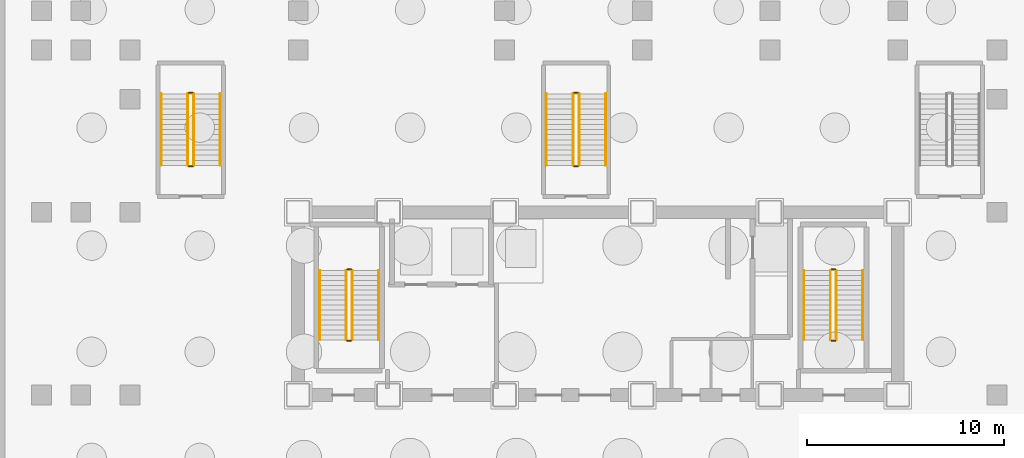
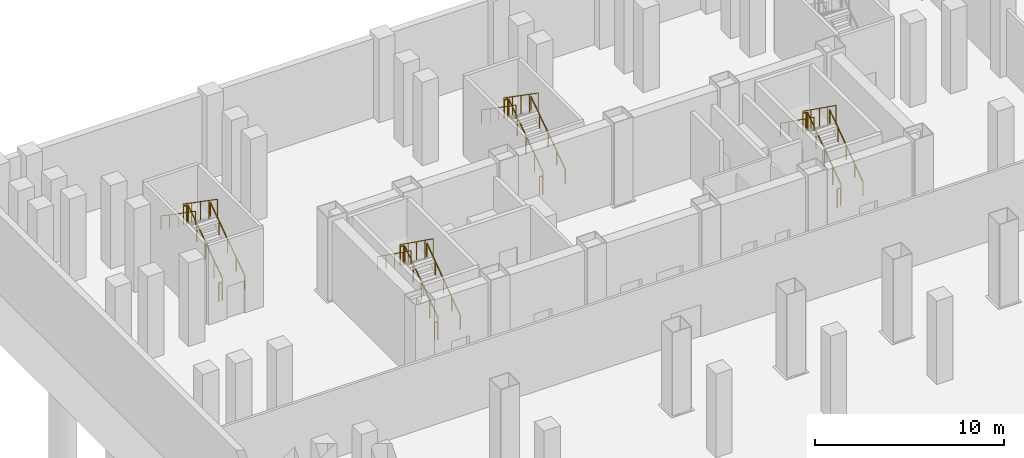
# One storey, part 6 of 8: 24 railings.
"""IFC4 building model written with IfcOpenShell, lengths in metres."""

from ifc_helpers import new_model, si_unit, direction, frame, origin, origin_2d, place, context, subcontext, project, spatial, circle, extrude, material, layer, layer_set, type_object, element, save


model = new_model("IFC4")

# Units and contexts
model_context = context("Model", 3, precision=1e-05, world=origin(), true_north=direction((0.0, 1.0)))
body_context = subcontext(model_context, "Body", "Model", "MODEL_VIEW")
ifc_project = project(units=[si_unit("LENGTHUNIT", "METRE"), si_unit("AREAUNIT", "SQUARE_METRE"), si_unit("VOLUMEUNIT", "CUBIC_METRE"), si_unit("PLANEANGLEUNIT", "RADIAN"), si_unit("MASSUNIT", "GRAM", prefix="KILO")], contexts=[model_context])

# Site, building, storey
site_placement = place(None, origin())
site = spatial("IfcSite", under=ifc_project, at=site_placement, CompositionType="ELEMENT")
building_placement = place(site_placement, origin())
building = spatial("IfcBuilding", under=site, at=building_placement, Name="Noeulbin Bourse Tower", CompositionType="ELEMENT")
storey_placement = place(building_placement, frame((0.0, 0.0, -15.60009765625)))
storey = spatial("IfcBuildingStorey", under=building, at=storey_placement, Name="B03", CompositionType="ELEMENT", Elevation=-15.60009765625)

# Railings
ifc_material_1 = material(Name="Painted Tubular Steel S355", Category="steel")
ifc_layer_1 = layer(ifc_material_1, 0.048095703125)
ifc_layer_set_1 = layer_set([ifc_layer_1], Name="Painted Tubular Steel S355")
railing_type_1 = type_object("IfcRailingType", Name="RLG-STR-GRD", PredefinedType="GUARDRAIL", material=ifc_layer_set_1)
railing_1_placement = place(storey_placement, frame((16.25, 31.81005859375, 0.18017578125)))
element("IfcRailing", 1, at=railing_1_placement, inside=storey, type_object=railing_type_1, Name="B03 ST-1 stair guard 1", PredefinedType="GUARDRAIL", context=body_context, shape_type="SweptSolid", body=[
    extrude(circle(Radius=0.02392578125, at=origin_2d()), frame((0.0, 0.0, 1.17578125), z_axis=(0.0, 0.813718251284, 0.581259501021), x_axis=(-1.0, 0.0, 0.0)), (0.0, 0.0, 1.0), 4.33544921875),
    extrude(circle(Radius=0.02099609375, at=origin_2d()), origin(), (0.0, 0.0, 1.0), 1.15185546875),
    extrude(circle(Radius=0.02099609375, at=origin_2d()), frame((0.0, 0.8818359375, 0.6298828125)), (0.0, 0.0, 1.0), 1.15185546875),
    extrude(circle(Radius=0.02099609375, at=origin_2d()), frame((0.0, 1.763916015625, 1.260009765625)), (0.0, 0.0, 1.0), 1.15185546875),
    extrude(circle(Radius=0.02099609375, at=origin_2d()), frame((0.0, 2.64599609375, 1.89013671875)), (0.0, 0.0, 1.0), 1.15185546875),
    extrude(circle(Radius=0.02099609375, at=origin_2d()), frame((0.0, 3.52783203125, 2.52001953125)), (0.0, 0.0, 1.0), 1.15185546875),
])
railing_2_placement = place(storey_placement, frame((16.199951171875, 35.387939453125, 2.7001953125)))
element("IfcRailing", 2, at=railing_2_placement, inside=storey, type_object=railing_type_1, Name="B03 ST-1 stair guard 2", PredefinedType="GUARDRAIL", context=body_context, shape_type="SweptSolid", body=[
    extrude(circle(Radius=0.02392578125, at=origin_2d()), frame((0.0, 0.0, 1.17578125), z_axis=(-1.0, 0.0, 0.0), x_axis=(0.0, -1.0, 0.0)), (0.0, 0.0, 1.0), 0.199951171875),
    extrude(circle(Radius=0.02099609375, at=origin_2d()), origin(), (0.0, 0.0, 1.0), 1.15185546875),
    extrude(circle(Radius=0.02099609375, at=origin_2d()), frame((-0.199951171875, 0.0, 0.0)), (0.0, 0.0, 1.0), 1.15185546875),
])
railing_3_placement = place(storey_placement, frame((15.949951171875, 35.337890625, 2.880126953125)))
element("IfcRailing", 3, at=railing_3_placement, inside=storey, type_object=railing_type_1, Name="B03 ST-1 stair guard 3", PredefinedType="GUARDRAIL", context=body_context, shape_type="SweptSolid", body=[
    extrude(circle(Radius=0.02392578125, at=origin_2d()), frame((0.0, 0.0, 1.17578125), z_axis=(0.0, -0.813718251284, 0.581259501021), x_axis=(1.0, 0.0, 0.0)), (0.0, 0.0, 1.0), 4.33544921875),
    extrude(circle(Radius=0.02099609375, at=origin_2d()), origin(), (0.0, 0.0, 1.0), 1.15185546875),
    extrude(circle(Radius=0.02099609375, at=origin_2d()), frame((0.0, -0.8818359375, 0.6298828125)), (0.0, 0.0, 1.0), 1.15185546875),
    extrude(circle(Radius=0.02099609375, at=origin_2d()), frame((0.0, -1.763916015625, 1.260009765625)), (0.0, 0.0, 1.0), 1.15185546875),
    extrude(circle(Radius=0.02099609375, at=origin_2d()), frame((0.0, -2.64599609375, 1.89013671875)), (0.0, 0.0, 1.0), 1.15185546875),
    extrude(circle(Radius=0.02099609375, at=origin_2d()), frame((0.0, -3.52783203125, 2.52001953125)), (0.0, 0.0, 1.0), 1.15185546875),
])
railing_4_placement = place(storey_placement, frame((16.199951171875, 31.760009765625, 0.0)))
element("IfcRailing", 4, at=railing_4_placement, inside=storey, type_object=railing_type_1, Name="B03 ST-1 stair guard 4", PredefinedType="GUARDRAIL", context=body_context, shape_type="SweptSolid", body=[
    extrude(circle(Radius=0.02392578125, at=origin_2d()), frame((0.0, 0.0, 1.17578125), z_axis=(-1.0, 0.0, 0.0), x_axis=(0.0, -1.0, 0.0)), (0.0, 0.0, 1.0), 0.199951171875),
    extrude(circle(Radius=0.02099609375, at=origin_2d()), origin(), (0.0, 0.0, 1.0), 1.15185546875),
    extrude(circle(Radius=0.02099609375, at=origin_2d()), frame((-0.199951171875, 0.0, 0.0)), (0.0, 0.0, 1.0), 1.15185546875),
])
railing_5_placement = place(storey_placement, frame((40.8798828125, 31.81005859375, 0.18017578125)))
element("IfcRailing", 5, at=railing_5_placement, inside=storey, type_object=railing_type_1, Name="B03 ST-2 stair guard 1", PredefinedType="GUARDRAIL", context=body_context, shape_type="SweptSolid", body=[
    extrude(circle(Radius=0.02392578125, at=origin_2d()), frame((0.0, 0.0, 1.17578125), z_axis=(0.0, 0.813718251284, 0.581259501021), x_axis=(-1.0, 0.0, 0.0)), (0.0, 0.0, 1.0), 4.33544921875),
    extrude(circle(Radius=0.02099609375, at=origin_2d()), origin(), (0.0, 0.0, 1.0), 1.15185546875),
    extrude(circle(Radius=0.02099609375, at=origin_2d()), frame((0.0, 0.8818359375, 0.6298828125)), (0.0, 0.0, 1.0), 1.15185546875),
    extrude(circle(Radius=0.02099609375, at=origin_2d()), frame((0.0, 1.763916015625, 1.260009765625)), (0.0, 0.0, 1.0), 1.15185546875),
    extrude(circle(Radius=0.02099609375, at=origin_2d()), frame((0.0, 2.64599609375, 1.89013671875)), (0.0, 0.0, 1.0), 1.15185546875),
    extrude(circle(Radius=0.02099609375, at=origin_2d()), frame((0.0, 3.52783203125, 2.52001953125)), (0.0, 0.0, 1.0), 1.15185546875),
])
railing_6_placement = place(storey_placement, frame((40.830078125, 35.387939453125, 2.7001953125)))
element("IfcRailing", 6, at=railing_6_placement, inside=storey, type_object=railing_type_1, Name="B03 ST-2 stair guard 2", PredefinedType="GUARDRAIL", context=body_context, shape_type="SweptSolid", body=[
    extrude(circle(Radius=0.02392578125, at=origin_2d()), frame((0.0, 0.0, 1.17578125), z_axis=(-1.0, 0.0, 0.0), x_axis=(0.0, -1.0, 0.0)), (0.0, 0.0, 1.0), 0.2001953125),
    extrude(circle(Radius=0.02099609375, at=origin_2d()), origin(), (0.0, 0.0, 1.0), 1.15185546875),
    extrude(circle(Radius=0.02099609375, at=origin_2d()), frame((-0.2001953125, 0.0, 0.0)), (0.0, 0.0, 1.0), 1.15185546875),
])
railing_7_placement = place(storey_placement, frame((40.580078125, 35.337890625, 2.880126953125)))
element("IfcRailing", 7, at=railing_7_placement, inside=storey, type_object=railing_type_1, Name="B03 ST-2 stair guard 3", PredefinedType="GUARDRAIL", context=body_context, shape_type="SweptSolid", body=[
    extrude(circle(Radius=0.02392578125, at=origin_2d()), frame((0.0, 0.0, 1.17578125), z_axis=(0.0, -0.813718251284, 0.581259501021), x_axis=(1.0, 0.0, 0.0)), (0.0, 0.0, 1.0), 4.33544921875),
    extrude(circle(Radius=0.02099609375, at=origin_2d()), origin(), (0.0, 0.0, 1.0), 1.15185546875),
    extrude(circle(Radius=0.02099609375, at=origin_2d()), frame((0.0, -0.8818359375, 0.6298828125)), (0.0, 0.0, 1.0), 1.15185546875),
    extrude(circle(Radius=0.02099609375, at=origin_2d()), frame((0.0, -1.763916015625, 1.260009765625)), (0.0, 0.0, 1.0), 1.15185546875),
    extrude(circle(Radius=0.02099609375, at=origin_2d()), frame((0.0, -2.64599609375, 1.89013671875)), (0.0, 0.0, 1.0), 1.15185546875),
    extrude(circle(Radius=0.02099609375, at=origin_2d()), frame((0.0, -3.52783203125, 2.52001953125)), (0.0, 0.0, 1.0), 1.15185546875),
])
railing_8_placement = place(storey_placement, frame((40.830078125, 31.760009765625, 0.0)))
element("IfcRailing", 8, at=railing_8_placement, inside=storey, type_object=railing_type_1, Name="B03 ST-2 stair guard 4", PredefinedType="GUARDRAIL", context=body_context, shape_type="SweptSolid", body=[
    extrude(circle(Radius=0.02392578125, at=origin_2d()), frame((0.0, 0.0, 1.17578125), z_axis=(-1.0, 0.0, 0.0), x_axis=(0.0, -1.0, 0.0)), (0.0, 0.0, 1.0), 0.2001953125),
    extrude(circle(Radius=0.02099609375, at=origin_2d()), origin(), (0.0, 0.0, 1.0), 1.15185546875),
    extrude(circle(Radius=0.02099609375, at=origin_2d()), frame((-0.2001953125, 0.0, 0.0)), (0.0, 0.0, 1.0), 1.15185546875),
])
railing_9_placement = place(storey_placement, frame((8.18994140625, 40.679931640625, 0.18017578125)))
element("IfcRailing", 9, at=railing_9_placement, inside=storey, type_object=railing_type_1, Name="B03 ST-S1 stair guard 1", PredefinedType="GUARDRAIL", context=body_context, shape_type="SweptSolid", body=[
    extrude(circle(Radius=0.02392578125, at=origin_2d()), frame((0.0, 0.0, 1.17578125), z_axis=(0.0, 0.82220013233, 0.56919850878), x_axis=(-1.0, 0.0, 0.0)), (0.0, 0.0, 1.0), 4.42724609375),
    extrude(circle(Radius=0.02099609375, at=origin_2d()), origin(), (0.0, 0.0, 1.0), 1.15185546875),
    extrude(circle(Radius=0.02099609375, at=origin_2d()), frame((0.0, 0.91015625, 0.6298828125)), (0.0, 0.0, 1.0), 1.15185546875),
    extrude(circle(Radius=0.02099609375, at=origin_2d()), frame((0.0, 1.820068359375, 1.260009765625)), (0.0, 0.0, 1.0), 1.15185546875),
    extrude(circle(Radius=0.02099609375, at=origin_2d()), frame((0.0, 2.72998046875, 1.89013671875)), (0.0, 0.0, 1.0), 1.15185546875),
    extrude(circle(Radius=0.02099609375, at=origin_2d()), frame((0.0, 3.64013671875, 2.52001953125)), (0.0, 0.0, 1.0), 1.15185546875),
])
railing_10_placement = place(storey_placement, frame((8.139892578125, 44.3701171875, 2.7001953125)))
element("IfcRailing", 10, at=railing_10_placement, inside=storey, type_object=railing_type_1, Name="B03 ST-S1 stair guard 2", PredefinedType="GUARDRAIL", context=body_context, shape_type="SweptSolid", body=[
    extrude(circle(Radius=0.02392578125, at=origin_2d()), frame((0.0, 0.0, 1.17578125), z_axis=(-1.0, 0.0, 0.0), x_axis=(0.0, -1.0, 0.0)), (0.0, 0.0, 1.0), 0.199951171875),
    extrude(circle(Radius=0.02099609375, at=origin_2d()), origin(), (0.0, 0.0, 1.0), 1.15185546875),
    extrude(circle(Radius=0.02099609375, at=origin_2d()), frame((-0.199951171875, 0.0, 0.0)), (0.0, 0.0, 1.0), 1.15185546875),
])
railing_11_placement = place(storey_placement, frame((7.889892578125, 44.320068359375, 2.880126953125)))
element("IfcRailing", 11, at=railing_11_placement, inside=storey, type_object=railing_type_1, Name="B03 ST-S1 stair guard 3", PredefinedType="GUARDRAIL", context=body_context, shape_type="SweptSolid", body=[
    extrude(circle(Radius=0.02392578125, at=origin_2d()), frame((0.0, 0.0, 1.17578125), z_axis=(0.0, -0.82220013233, 0.56919850878), x_axis=(1.0, 0.0, 0.0)), (0.0, 0.0, 1.0), 4.42724609375),
    extrude(circle(Radius=0.02099609375, at=origin_2d()), origin(), (0.0, 0.0, 1.0), 1.15185546875),
    extrude(circle(Radius=0.02099609375, at=origin_2d()), frame((0.0, -0.91015625, 0.6298828125)), (0.0, 0.0, 1.0), 1.15185546875),
    extrude(circle(Radius=0.02099609375, at=origin_2d()), frame((0.0, -1.820068359375, 1.260009765625)), (0.0, 0.0, 1.0), 1.15185546875),
    extrude(circle(Radius=0.02099609375, at=origin_2d()), frame((0.0, -2.72998046875, 1.89013671875)), (0.0, 0.0, 1.0), 1.15185546875),
    extrude(circle(Radius=0.02099609375, at=origin_2d()), frame((0.0, -3.64013671875, 2.52001953125)), (0.0, 0.0, 1.0), 1.15185546875),
])
railing_12_placement = place(storey_placement, frame((8.139892578125, 40.6298828125, 0.0)))
element("IfcRailing", 12, at=railing_12_placement, inside=storey, type_object=railing_type_1, Name="B03 ST-S1 stair guard 4", PredefinedType="GUARDRAIL", context=body_context, shape_type="SweptSolid", body=[
    extrude(circle(Radius=0.02392578125, at=origin_2d()), frame((0.0, 0.0, 1.17578125), z_axis=(-1.0, 0.0, 0.0), x_axis=(0.0, -1.0, 0.0)), (0.0, 0.0, 1.0), 0.199951171875),
    extrude(circle(Radius=0.02099609375, at=origin_2d()), origin(), (0.0, 0.0, 1.0), 1.15185546875),
    extrude(circle(Radius=0.02099609375, at=origin_2d()), frame((-0.199951171875, 0.0, 0.0)), (0.0, 0.0, 1.0), 1.15185546875),
])
railing_13_placement = place(storey_placement, frame((27.7900390625, 40.679931640625, 0.18017578125)))
element("IfcRailing", 13, at=railing_13_placement, inside=storey, type_object=railing_type_1, Name="B03 ST-S2 stair guard 1", PredefinedType="GUARDRAIL", context=body_context, shape_type="SweptSolid", body=[
    extrude(circle(Radius=0.02392578125, at=origin_2d()), frame((0.0, 0.0, 1.17578125), z_axis=(0.0, 0.82220013233, 0.56919850878), x_axis=(-1.0, 0.0, 0.0)), (0.0, 0.0, 1.0), 4.42724609375),
    extrude(circle(Radius=0.02099609375, at=origin_2d()), origin(), (0.0, 0.0, 1.0), 1.15185546875),
    extrude(circle(Radius=0.02099609375, at=origin_2d()), frame((0.0, 0.91015625, 0.6298828125)), (0.0, 0.0, 1.0), 1.15185546875),
    extrude(circle(Radius=0.02099609375, at=origin_2d()), frame((0.0, 1.820068359375, 1.260009765625)), (0.0, 0.0, 1.0), 1.15185546875),
    extrude(circle(Radius=0.02099609375, at=origin_2d()), frame((0.0, 2.72998046875, 1.89013671875)), (0.0, 0.0, 1.0), 1.15185546875),
    extrude(circle(Radius=0.02099609375, at=origin_2d()), frame((0.0, 3.64013671875, 2.52001953125)), (0.0, 0.0, 1.0), 1.15185546875),
])
railing_14_placement = place(storey_placement, frame((27.739990234375, 44.3701171875, 2.7001953125)))
element("IfcRailing", 14, at=railing_14_placement, inside=storey, type_object=railing_type_1, Name="B03 ST-S2 stair guard 2", PredefinedType="GUARDRAIL", context=body_context, shape_type="SweptSolid", body=[
    extrude(circle(Radius=0.02392578125, at=origin_2d()), frame((0.0, 0.0, 1.17578125), z_axis=(-1.0, 0.0, 0.0), x_axis=(0.0, -1.0, 0.0)), (0.0, 0.0, 1.0), 0.199951171875),
    extrude(circle(Radius=0.02099609375, at=origin_2d()), origin(), (0.0, 0.0, 1.0), 1.15185546875),
    extrude(circle(Radius=0.02099609375, at=origin_2d()), frame((-0.199951171875, 0.0, 0.0)), (0.0, 0.0, 1.0), 1.15185546875),
])
railing_15_placement = place(storey_placement, frame((27.489990234375, 44.320068359375, 2.880126953125)))
element("IfcRailing", 15, at=railing_15_placement, inside=storey, type_object=railing_type_1, Name="B03 ST-S2 stair guard 3", PredefinedType="GUARDRAIL", context=body_context, shape_type="SweptSolid", body=[
    extrude(circle(Radius=0.02392578125, at=origin_2d()), frame((0.0, 0.0, 1.17578125), z_axis=(0.0, -0.82220013233, 0.56919850878), x_axis=(1.0, 0.0, 0.0)), (0.0, 0.0, 1.0), 4.42724609375),
    extrude(circle(Radius=0.02099609375, at=origin_2d()), origin(), (0.0, 0.0, 1.0), 1.15185546875),
    extrude(circle(Radius=0.02099609375, at=origin_2d()), frame((0.0, -0.91015625, 0.6298828125)), (0.0, 0.0, 1.0), 1.15185546875),
    extrude(circle(Radius=0.02099609375, at=origin_2d()), frame((0.0, -1.820068359375, 1.260009765625)), (0.0, 0.0, 1.0), 1.15185546875),
    extrude(circle(Radius=0.02099609375, at=origin_2d()), frame((0.0, -2.72998046875, 1.89013671875)), (0.0, 0.0, 1.0), 1.15185546875),
    extrude(circle(Radius=0.02099609375, at=origin_2d()), frame((0.0, -3.64013671875, 2.52001953125)), (0.0, 0.0, 1.0), 1.15185546875),
])
railing_16_placement = place(storey_placement, frame((27.739990234375, 40.6298828125, 0.0)))
element("IfcRailing", 16, at=railing_16_placement, inside=storey, type_object=railing_type_1, Name="B03 ST-S2 stair guard 4", PredefinedType="GUARDRAIL", context=body_context, shape_type="SweptSolid", body=[
    extrude(circle(Radius=0.02392578125, at=origin_2d()), frame((0.0, 0.0, 1.17578125), z_axis=(-1.0, 0.0, 0.0), x_axis=(0.0, -1.0, 0.0)), (0.0, 0.0, 1.0), 0.199951171875),
    extrude(circle(Radius=0.02099609375, at=origin_2d()), origin(), (0.0, 0.0, 1.0), 1.15185546875),
    extrude(circle(Radius=0.02099609375, at=origin_2d()), frame((-0.199951171875, 0.0, 0.0)), (0.0, 0.0, 1.0), 1.15185546875),
])
ifc_material_2 = material(Name="Brushed Stainless Steel 316", Category="steel")
ifc_layer_2 = layer(ifc_material_2, 0.048095703125)
ifc_layer_set_2 = layer_set([ifc_layer_2], Name="Brushed Stainless Steel 316")
railing_type_2 = type_object("IfcRailingType", Name="RLG-STR-HND", PredefinedType="HANDRAIL", material=ifc_layer_set_2)
railing_17_placement = place(storey_placement, frame((17.60009765625, 31.81005859375, 0.18017578125)))
element("IfcRailing", 17, at=railing_17_placement, inside=storey, type_object=railing_type_2, Name="B03 ST-1 stair handrail 1", PredefinedType="HANDRAIL", context=body_context, shape_type="SweptSolid", body=[
    extrude(circle(Radius=0.02392578125, at=origin_2d()), frame((0.0, 0.0, 0.8759765625), z_axis=(0.0, 0.813718251284, 0.581259501021), x_axis=(-1.0, 0.0, 0.0)), (0.0, 0.0, 1.0), 4.33544921875),
    extrude(circle(Radius=0.02099609375, at=origin_2d()), origin(), (0.0, 0.0, 1.0), 0.851806640625),
    extrude(circle(Radius=0.02099609375, at=origin_2d()), frame((0.0, 0.8818359375, 0.6298828125)), (0.0, 0.0, 1.0), 0.851806640625),
    extrude(circle(Radius=0.02099609375, at=origin_2d()), frame((0.0, 1.763916015625, 1.260009765625)), (0.0, 0.0, 1.0), 0.851806640625),
    extrude(circle(Radius=0.02099609375, at=origin_2d()), frame((0.0, 2.64599609375, 1.89013671875)), (0.0, 0.0, 1.0), 0.851806640625),
    extrude(circle(Radius=0.02099609375, at=origin_2d()), frame((0.0, 3.52783203125, 2.52001953125)), (0.0, 0.0, 1.0), 0.851806640625),
])
railing_18_placement = place(storey_placement, frame((14.60009765625, 35.337890625, 2.880126953125)))
element("IfcRailing", 18, at=railing_18_placement, inside=storey, type_object=railing_type_2, Name="B03 ST-1 stair handrail 2", PredefinedType="HANDRAIL", context=body_context, shape_type="SweptSolid", body=[
    extrude(circle(Radius=0.02392578125, at=origin_2d()), frame((0.0, 0.0, 0.8759765625), z_axis=(0.0, -0.813718251284, 0.581259501021), x_axis=(1.0, 0.0, 0.0)), (0.0, 0.0, 1.0), 4.33544921875),
    extrude(circle(Radius=0.02099609375, at=origin_2d()), origin(), (0.0, 0.0, 1.0), 0.851806640625),
    extrude(circle(Radius=0.02099609375, at=origin_2d()), frame((0.0, -0.8818359375, 0.6298828125)), (0.0, 0.0, 1.0), 0.851806640625),
    extrude(circle(Radius=0.02099609375, at=origin_2d()), frame((0.0, -1.763916015625, 1.260009765625)), (0.0, 0.0, 1.0), 0.851806640625),
    extrude(circle(Radius=0.02099609375, at=origin_2d()), frame((0.0, -2.64599609375, 1.89013671875)), (0.0, 0.0, 1.0), 0.851806640625),
    extrude(circle(Radius=0.02099609375, at=origin_2d()), frame((0.0, -3.52783203125, 2.52001953125)), (0.0, 0.0, 1.0), 0.851806640625),
])
railing_19_placement = place(storey_placement, frame((42.22998046875, 31.81005859375, 0.18017578125)))
element("IfcRailing", 19, at=railing_19_placement, inside=storey, type_object=railing_type_2, Name="B03 ST-2 stair handrail 1", PredefinedType="HANDRAIL", context=body_context, shape_type="SweptSolid", body=[
    extrude(circle(Radius=0.02392578125, at=origin_2d()), frame((0.0, 0.0, 0.8759765625), z_axis=(0.0, 0.813718251284, 0.581259501021), x_axis=(-1.0, 0.0, 0.0)), (0.0, 0.0, 1.0), 4.33544921875),
    extrude(circle(Radius=0.02099609375, at=origin_2d()), origin(), (0.0, 0.0, 1.0), 0.851806640625),
    extrude(circle(Radius=0.02099609375, at=origin_2d()), frame((0.0, 0.8818359375, 0.6298828125)), (0.0, 0.0, 1.0), 0.851806640625),
    extrude(circle(Radius=0.02099609375, at=origin_2d()), frame((0.0, 1.763916015625, 1.260009765625)), (0.0, 0.0, 1.0), 0.851806640625),
    extrude(circle(Radius=0.02099609375, at=origin_2d()), frame((0.0, 2.64599609375, 1.89013671875)), (0.0, 0.0, 1.0), 0.851806640625),
    extrude(circle(Radius=0.02099609375, at=origin_2d()), frame((0.0, 3.52783203125, 2.52001953125)), (0.0, 0.0, 1.0), 0.851806640625),
])
railing_20_placement = place(storey_placement, frame((39.22998046875, 35.337890625, 2.880126953125)))
element("IfcRailing", 20, at=railing_20_placement, inside=storey, type_object=railing_type_2, Name="B03 ST-2 stair handrail 2", PredefinedType="HANDRAIL", context=body_context, shape_type="SweptSolid", body=[
    extrude(circle(Radius=0.02392578125, at=origin_2d()), frame((0.0, 0.0, 0.8759765625), z_axis=(0.0, -0.813718251284, 0.581259501021), x_axis=(1.0, 0.0, 0.0)), (0.0, 0.0, 1.0), 4.33544921875),
    extrude(circle(Radius=0.02099609375, at=origin_2d()), origin(), (0.0, 0.0, 1.0), 0.851806640625),
    extrude(circle(Radius=0.02099609375, at=origin_2d()), frame((0.0, -0.8818359375, 0.6298828125)), (0.0, 0.0, 1.0), 0.851806640625),
    extrude(circle(Radius=0.02099609375, at=origin_2d()), frame((0.0, -1.763916015625, 1.260009765625)), (0.0, 0.0, 1.0), 0.851806640625),
    extrude(circle(Radius=0.02099609375, at=origin_2d()), frame((0.0, -2.64599609375, 1.89013671875)), (0.0, 0.0, 1.0), 0.851806640625),
    extrude(circle(Radius=0.02099609375, at=origin_2d()), frame((0.0, -3.52783203125, 2.52001953125)), (0.0, 0.0, 1.0), 0.851806640625),
])
railing_21_placement = place(storey_placement, frame((9.550048828125, 40.679931640625, 0.18017578125)))
element("IfcRailing", 21, at=railing_21_placement, inside=storey, type_object=railing_type_2, Name="B03 ST-S1 stair handrail 1", PredefinedType="HANDRAIL", context=body_context, shape_type="SweptSolid", body=[
    extrude(circle(Radius=0.02392578125, at=origin_2d()), frame((0.0, 0.0, 0.8759765625), z_axis=(0.0, 0.82220013233, 0.56919850878), x_axis=(-1.0, 0.0, 0.0)), (0.0, 0.0, 1.0), 4.42724609375),
    extrude(circle(Radius=0.02099609375, at=origin_2d()), origin(), (0.0, 0.0, 1.0), 0.851806640625),
    extrude(circle(Radius=0.02099609375, at=origin_2d()), frame((0.0, 0.91015625, 0.6298828125)), (0.0, 0.0, 1.0), 0.851806640625),
    extrude(circle(Radius=0.02099609375, at=origin_2d()), frame((0.0, 1.820068359375, 1.260009765625)), (0.0, 0.0, 1.0), 0.851806640625),
    extrude(circle(Radius=0.02099609375, at=origin_2d()), frame((0.0, 2.72998046875, 1.89013671875)), (0.0, 0.0, 1.0), 0.851806640625),
    extrude(circle(Radius=0.02099609375, at=origin_2d()), frame((0.0, 3.64013671875, 2.52001953125)), (0.0, 0.0, 1.0), 0.851806640625),
])
railing_22_placement = place(storey_placement, frame((6.530029296875, 44.320068359375, 2.880126953125)))
element("IfcRailing", 22, at=railing_22_placement, inside=storey, type_object=railing_type_2, Name="B03 ST-S1 stair handrail 2", PredefinedType="HANDRAIL", context=body_context, shape_type="SweptSolid", body=[
    extrude(circle(Radius=0.02392578125, at=origin_2d()), frame((0.0, 0.0, 0.8759765625), z_axis=(0.0, -0.82220013233, 0.56919850878), x_axis=(1.0, 0.0, 0.0)), (0.0, 0.0, 1.0), 4.42724609375),
    extrude(circle(Radius=0.02099609375, at=origin_2d()), origin(), (0.0, 0.0, 1.0), 0.851806640625),
    extrude(circle(Radius=0.02099609375, at=origin_2d()), frame((0.0, -0.91015625, 0.6298828125)), (0.0, 0.0, 1.0), 0.851806640625),
    extrude(circle(Radius=0.02099609375, at=origin_2d()), frame((0.0, -1.820068359375, 1.260009765625)), (0.0, 0.0, 1.0), 0.851806640625),
    extrude(circle(Radius=0.02099609375, at=origin_2d()), frame((0.0, -2.72998046875, 1.89013671875)), (0.0, 0.0, 1.0), 0.851806640625),
    extrude(circle(Radius=0.02099609375, at=origin_2d()), frame((0.0, -3.64013671875, 2.52001953125)), (0.0, 0.0, 1.0), 0.851806640625),
])
railing_23_placement = place(storey_placement, frame((29.14990234375, 40.679931640625, 0.18017578125)))
element("IfcRailing", 23, at=railing_23_placement, inside=storey, type_object=railing_type_2, Name="B03 ST-S2 stair handrail 1", PredefinedType="HANDRAIL", context=body_context, shape_type="SweptSolid", body=[
    extrude(circle(Radius=0.02392578125, at=origin_2d()), frame((0.0, 0.0, 0.8759765625), z_axis=(0.0, 0.82220013233, 0.56919850878), x_axis=(-1.0, 0.0, 0.0)), (0.0, 0.0, 1.0), 4.42724609375),
    extrude(circle(Radius=0.02099609375, at=origin_2d()), origin(), (0.0, 0.0, 1.0), 0.851806640625),
    extrude(circle(Radius=0.02099609375, at=origin_2d()), frame((0.0, 0.91015625, 0.6298828125)), (0.0, 0.0, 1.0), 0.851806640625),
    extrude(circle(Radius=0.02099609375, at=origin_2d()), frame((0.0, 1.820068359375, 1.260009765625)), (0.0, 0.0, 1.0), 0.851806640625),
    extrude(circle(Radius=0.02099609375, at=origin_2d()), frame((0.0, 2.72998046875, 1.89013671875)), (0.0, 0.0, 1.0), 0.851806640625),
    extrude(circle(Radius=0.02099609375, at=origin_2d()), frame((0.0, 3.64013671875, 2.52001953125)), (0.0, 0.0, 1.0), 0.851806640625),
])
railing_24_placement = place(storey_placement, frame((26.1298828125, 44.320068359375, 2.880126953125)))
element("IfcRailing", 24, at=railing_24_placement, inside=storey, type_object=railing_type_2, Name="B03 ST-S2 stair handrail 2", PredefinedType="HANDRAIL", context=body_context, shape_type="SweptSolid", body=[
    extrude(circle(Radius=0.02392578125, at=origin_2d()), frame((0.0, 0.0, 0.8759765625), z_axis=(0.0, -0.82220013233, 0.56919850878), x_axis=(1.0, 0.0, 0.0)), (0.0, 0.0, 1.0), 4.42724609375),
    extrude(circle(Radius=0.02099609375, at=origin_2d()), origin(), (0.0, 0.0, 1.0), 0.851806640625),
    extrude(circle(Radius=0.02099609375, at=origin_2d()), frame((0.0, -0.91015625, 0.6298828125)), (0.0, 0.0, 1.0), 0.851806640625),
    extrude(circle(Radius=0.02099609375, at=origin_2d()), frame((0.0, -1.820068359375, 1.260009765625)), (0.0, 0.0, 1.0), 0.851806640625),
    extrude(circle(Radius=0.02099609375, at=origin_2d()), frame((0.0, -2.72998046875, 1.89013671875)), (0.0, 0.0, 1.0), 0.851806640625),
    extrude(circle(Radius=0.02099609375, at=origin_2d()), frame((0.0, -3.64013671875, 2.52001953125)), (0.0, 0.0, 1.0), 0.851806640625),
])

save(model, "model.ifc")
